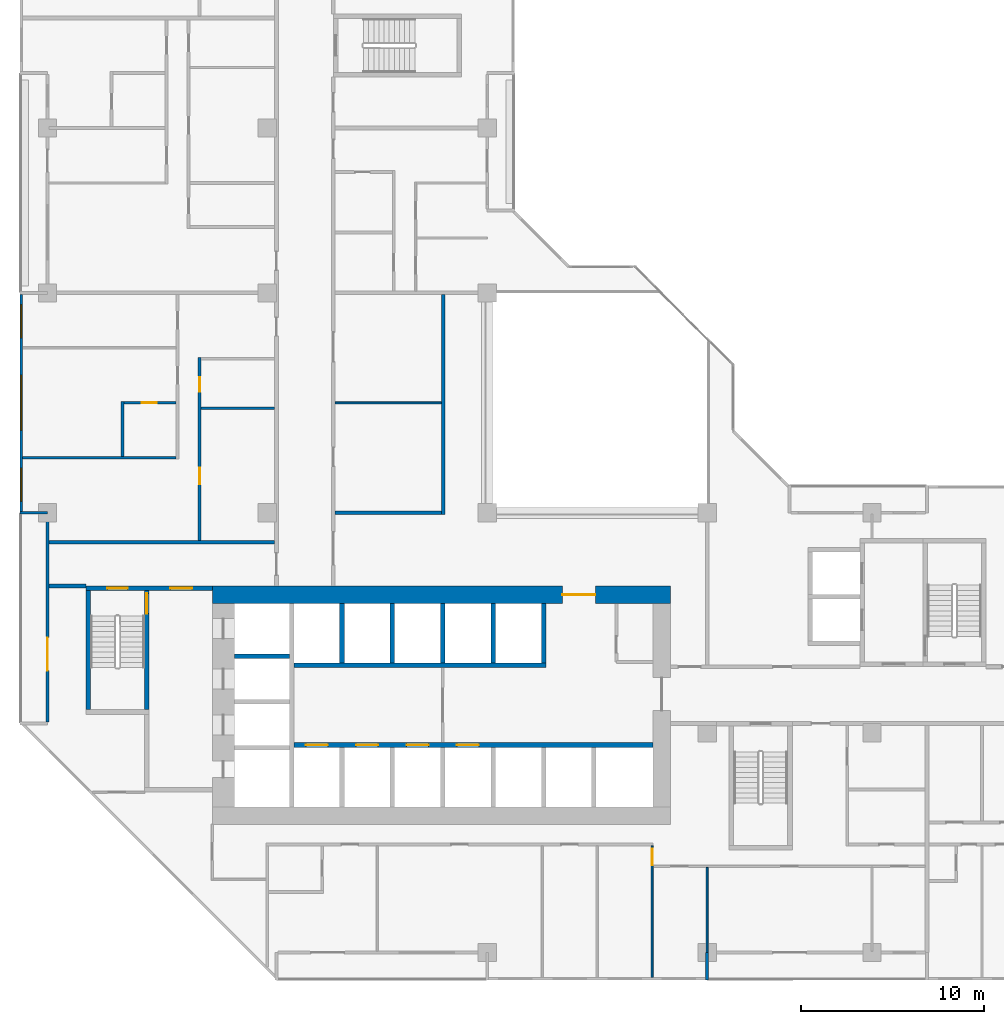
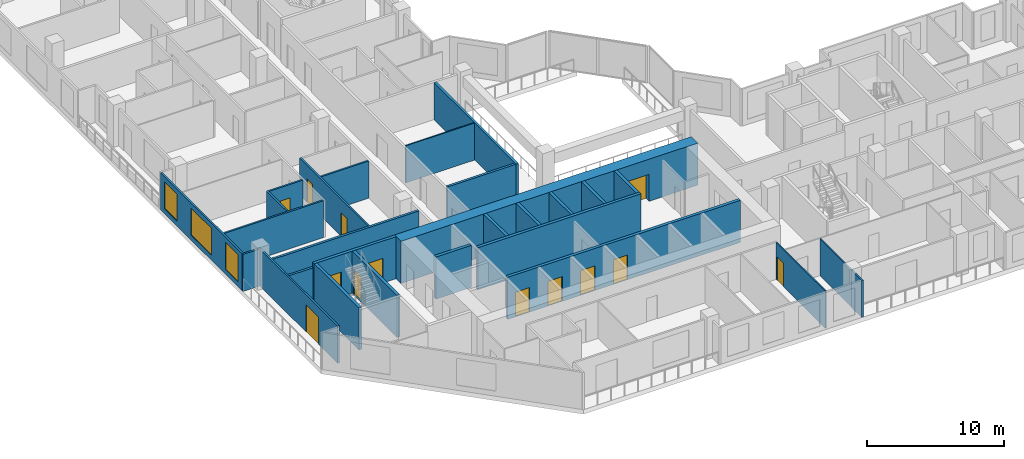
# One storey, part 5 of 15: 28 walls, 13 doors, 3 windows, 16 openings.
"""IFC4 building model written with IfcOpenShell, lengths in metres."""

from ifc_helpers import new_model, si_unit, direction, frame, frame_2d, origin, place, context, subcontext, project, spatial, rectangle, extrude, material, layer, layer_set, type_object, element, fill, save


model = new_model("IFC4")

# Units and contexts
model_context = context("Model", 3, precision=1e-05, world=origin(), true_north=direction((0.0, 1.0)))
body_context = subcontext(model_context, "Body", "Model", "MODEL_VIEW")
ifc_project = project(units=[si_unit("LENGTHUNIT", "METRE"), si_unit("AREAUNIT", "SQUARE_METRE"), si_unit("VOLUMEUNIT", "CUBIC_METRE"), si_unit("PLANEANGLEUNIT", "RADIAN"), si_unit("MASSUNIT", "GRAM", prefix="KILO")], contexts=[model_context])

# Site, building, storey
site_placement = place(None, origin())
site = spatial("IfcSite", under=ifc_project, at=site_placement, CompositionType="ELEMENT")
building_placement = place(site_placement, origin())
building = spatial("IfcBuilding", under=site, at=building_placement, Name="Chenar Terraces", CompositionType="ELEMENT")
storey_placement = place(building_placement, frame((0.0, 0.0, 136.89990234375)))
storey = spatial("IfcBuildingStorey", under=building, at=storey_placement, Name="L32", CompositionType="ELEMENT", Elevation=136.89990234375)

# Wall, openings, doors
ifc_material_1 = material(Name="Concrete C70/85", Category="concrete")
ifc_layer_1 = layer(ifc_material_1, 0.25)
ifc_layer_set_1 = layer_set([ifc_layer_1], Name="Concrete C70/85")
wall_type_1 = type_object("IfcWallType", Name="Core wall 250 Concrete C70/85", PredefinedType="SHEAR", material=ifc_layer_set_1)
wall_1_placement = place(storey_placement, frame((13.449951171875, 11.324951171875, 0.0), z_axis=(0.0, 0.0, 1.0), x_axis=(1.0, 0.0, 0.0)))
wall_1 = element("IfcWall", 1, at=wall_1_placement, inside=storey, type_object=wall_type_1, Name="Core wall SF L32", PredefinedType="SHEAR", context=body_context, shape_type="SweptSolid", body=[
    extrude(rectangle(XDim=19.60009765625, YDim=0.25, at=frame_2d((9.800048828125, 0.0))), origin(), (0.0, 0.0, 1.0), 3.75),
])
opening_1_placement = place(wall_1_placement, frame((0.64990234375, 0.0, 0.0)))
opening_1 = element("IfcOpeningElement", 2, at=opening_1_placement, cuts=wall_1, Name="Opening DL32-LD1", PredefinedType="OPENING", context=body_context, shape_type="SweptSolid", body=[
    extrude(rectangle(XDim=1.199951171875, YDim=2.199951171875, at=frame_2d((0.60009765625, 1.10009765625))), frame((0.0, 0.135009765625, 0.0), z_axis=(0.0, -1.0, 0.0), x_axis=(1.0, 0.0, 0.0)), (0.0, 0.0, 1.0), 0.27001953125),
])
opening_2_placement = place(wall_1_placement, frame((3.39990234375, 0.0, 0.0)))
opening_2 = element("IfcOpeningElement", 3, at=opening_2_placement, cuts=wall_1, Name="Opening DL32-LD2", PredefinedType="OPENING", context=body_context, shape_type="SweptSolid", body=[
    extrude(rectangle(XDim=1.199951171875, YDim=2.199951171875, at=frame_2d((0.60009765625, 1.10009765625))), frame((0.0, 0.135009765625, 0.0), z_axis=(0.0, -1.0, 0.0), x_axis=(1.0, 0.0, 0.0)), (0.0, 0.0, 1.0), 0.27001953125),
])
opening_3_placement = place(wall_1_placement, frame((6.14990234375, 0.0, 0.0)))
opening_3 = element("IfcOpeningElement", 4, at=opening_3_placement, cuts=wall_1, Name="Opening DL32-LD3", PredefinedType="OPENING", context=body_context, shape_type="SweptSolid", body=[
    extrude(rectangle(XDim=1.199951171875, YDim=2.199951171875, at=frame_2d((0.60009765625, 1.10009765625))), frame((0.0, 0.135009765625, 0.0), z_axis=(0.0, -1.0, 0.0), x_axis=(1.0, 0.0, 0.0)), (0.0, 0.0, 1.0), 0.27001953125),
])
opening_4_placement = place(wall_1_placement, frame((8.89990234375, 0.0, 0.0)))
opening_4 = element("IfcOpeningElement", 5, at=opening_4_placement, cuts=wall_1, Name="Opening DL32-LD4", PredefinedType="OPENING", context=body_context, shape_type="SweptSolid", body=[
    extrude(rectangle(XDim=1.199951171875, YDim=2.199951171875, at=frame_2d((0.60009765625, 1.10009765625))), frame((0.0, 0.135009765625, 0.0), z_axis=(0.0, -1.0, 0.0), x_axis=(1.0, 0.0, 0.0)), (0.0, 0.0, 1.0), 0.27001953125),
])
ifc_material_2 = material(Name="Stainless steel", Category="steel")
door_type_1 = type_object("IfcDoorType", Name="Lift landing door 1200 x 2200 sliding", OperationType="DOUBLE_DOOR_SLIDING", PredefinedType="DOOR", material=ifc_material_2)
door_1_placement = place(opening_1_placement, origin())
door_1 = element("IfcDoor", 6, at=door_1_placement, inside=storey, type_object=door_type_1, Name="Landing door L1", OperationType="DOUBLE_DOOR_SLIDING", OverallHeight=2.199951171875, OverallWidth=1.199951171875, PredefinedType="DOOR", context=body_context, shape_type="SweptSolid", body=[
    extrude(rectangle(XDim=1.199951171875, YDim=2.199951171875, at=frame_2d((0.60009765625, 1.10009765625))), frame((0.0, 0.02490234375, 0.0), z_axis=(0.0, -1.0, 0.0), x_axis=(1.0, 0.0, 0.0)), (0.0, 0.0, 1.0), 0.050048828125),
])
fill(opening_1, door_1)
door_2_placement = place(opening_2_placement, origin())
door_2 = element("IfcDoor", 7, at=door_2_placement, inside=storey, type_object=door_type_1, Name="Landing door L2", OperationType="DOUBLE_DOOR_SLIDING", OverallHeight=2.199951171875, OverallWidth=1.199951171875, PredefinedType="DOOR", context=body_context, shape_type="SweptSolid", body=[
    extrude(rectangle(XDim=1.199951171875, YDim=2.199951171875, at=frame_2d((0.60009765625, 1.10009765625))), frame((0.0, 0.02490234375, 0.0), z_axis=(0.0, -1.0, 0.0), x_axis=(1.0, 0.0, 0.0)), (0.0, 0.0, 1.0), 0.050048828125),
])
fill(opening_2, door_2)
door_3_placement = place(opening_3_placement, origin())
door_3 = element("IfcDoor", 8, at=door_3_placement, inside=storey, type_object=door_type_1, Name="Landing door L3", OperationType="DOUBLE_DOOR_SLIDING", OverallHeight=2.199951171875, OverallWidth=1.199951171875, PredefinedType="DOOR", context=body_context, shape_type="SweptSolid", body=[
    extrude(rectangle(XDim=1.199951171875, YDim=2.199951171875, at=frame_2d((0.60009765625, 1.10009765625))), frame((0.0, 0.02490234375, 0.0), z_axis=(0.0, -1.0, 0.0), x_axis=(1.0, 0.0, 0.0)), (0.0, 0.0, 1.0), 0.050048828125),
])
fill(opening_3, door_3)
door_4_placement = place(opening_4_placement, origin())
door_4 = element("IfcDoor", 9, at=door_4_placement, inside=storey, type_object=door_type_1, Name="Landing door L4", OperationType="DOUBLE_DOOR_SLIDING", OverallHeight=2.199951171875, OverallWidth=1.199951171875, PredefinedType="DOOR", context=body_context, shape_type="SweptSolid", body=[
    extrude(rectangle(XDim=1.199951171875, YDim=2.199951171875, at=frame_2d((0.60009765625, 1.10009765625))), frame((0.0, 0.02490234375, 0.0), z_axis=(0.0, -1.0, 0.0), x_axis=(1.0, 0.0, 0.0)), (0.0, 0.0, 1.0), 0.050048828125),
])
fill(opening_4, door_4)

# Walls
wall_2_placement = place(storey_placement, frame((13.449951171875, 15.675048828125, 0.0), z_axis=(0.0, 0.0, 1.0), x_axis=(1.0, 0.0, 0.0)))
element("IfcWall", 10, at=wall_2_placement, inside=storey, type_object=wall_type_1, Name="Core wall NF L32", PredefinedType="SHEAR", context=body_context, shape_type="SweptSolid", body=[
    extrude(rectangle(XDim=13.75, YDim=0.25, at=frame_2d((6.875, 0.0))), origin(), (0.0, 0.0, 1.0), 3.75),
])
wall_3_placement = place(storey_placement, frame((10.199951171875, 16.175048828125, 0.0), z_axis=(0.0, 0.0, 1.0), x_axis=(1.0, 0.0, 0.0)))
element("IfcWall", 11, at=wall_3_placement, inside=storey, type_object=wall_type_1, Name="Core wall HW2 L32", PredefinedType="SHEAR", context=body_context, shape_type="SweptSolid", body=[
    extrude(rectangle(XDim=3.0, YDim=0.25, at=frame_2d((1.5, 0.0))), origin(), (0.0, 0.0, 1.0), 3.75),
])
for number, where, z_axis, x_axis, name in (
    (12, (16.074951171875, 15.800048828125, 0.0), (0.0, 0.0, 1.0), (0.0, 1.0, 0.0), "Core wall NS0 L32"),
    (13, (18.824951171875, 15.800048828125, 0.0), (0.0, 0.0, 1.0), (0.0, 1.0, 0.0), "Core wall NS1 L32"),
    (14, (21.574951171875, 15.800048828125, 0.0), (0.0, 0.0, 1.0), (0.0, 1.0, 0.0), "Core wall NS2 L32"),
    (15, (24.324951171875, 15.800048828125, 0.0), (0.0, 0.0, 1.0), (0.0, 1.0, 0.0), "Core wall NS3 L32"),
    (16, (27.074951171875, 15.800048828125, 0.0), (0.0, 0.0, 1.0), (0.0, 1.0, 0.0), "Core wall NE L32"),
):
    element("IfcWall", number, at=place(storey_placement, frame(where, z_axis=z_axis, x_axis=x_axis)), inside=storey, type_object=wall_type_1, Name=name, PredefinedType="SHEAR", context=body_context, shape_type="SweptSolid", body=[
        extrude(rectangle(XDim=3.25, YDim=0.25, at=frame_2d((1.625, 0.0))), origin(), (0.0, 0.0, 1.0), 3.75),
    ])

# Wall, openings, doors
wall_4_placement = place(storey_placement, frame((2.10009765625, 19.875, 0.0), z_axis=(0.0, 0.0, 1.0), x_axis=(1.0, 0.0, 0.0)))
wall_4 = element("IfcWall", 17, at=wall_4_placement, inside=storey, type_object=wall_type_1, Name="Core wall A_N L32", PredefinedType="SHEAR", context=body_context, shape_type="SweptSolid", body=[
    extrude(rectangle(XDim=6.89990234375, YDim=0.25, at=frame_2d((3.449951171875, 0.0))), origin(), (0.0, 0.0, 1.0), 3.75),
])
opening_5_placement = place(wall_4_placement, frame((1.175048828125, 0.0, 0.0)))
opening_5 = element("IfcOpeningElement", 18, at=opening_5_placement, cuts=wall_4, Name="Opening DL32-C5", PredefinedType="OPENING", context=body_context, shape_type="SweptSolid", body=[
    extrude(rectangle(XDim=1.10009765625, YDim=2.199951171875, at=frame_2d((0.550048828125, 1.10009765625))), frame((0.0, 0.135009765625, 0.0), z_axis=(0.0, -1.0, 0.0), x_axis=(1.0, 0.0, 0.0)), (0.0, 0.0, 1.0), 0.27001953125),
])
opening_6_placement = place(wall_4_placement, frame((4.60009765625, 0.0, 0.0)))
opening_6 = element("IfcOpeningElement", 19, at=opening_6_placement, cuts=wall_4, Name="Opening DL32-C6", PredefinedType="OPENING", context=body_context, shape_type="SweptSolid", body=[
    extrude(rectangle(XDim=1.199951171875, YDim=2.199951171875, at=frame_2d((0.60009765625, 1.10009765625))), frame((0.0, 0.135009765625, 0.0), z_axis=(0.0, -1.0, 0.0), x_axis=(1.0, 0.0, 0.0)), (0.0, 0.0, 1.0), 0.27001953125),
])
ifc_material_3 = material(Name="Steel-framed fire-resisting door leaf", Category="steel")
door_type_2 = type_object("IfcDoorType", Name="Lobby fire door FD60 1200 x 2200", OperationType="SINGLE_SWING_LEFT", PredefinedType="DOOR", material=ifc_material_3)
door_5_placement = place(opening_6_placement, frame((1.199951171875, 0.0, 0.0), z_axis=(0.0, 0.0, 1.0), x_axis=(-1.0, 0.0, 0.0)))
door_5 = element("IfcDoor", 20, at=door_5_placement, inside=storey, type_object=door_type_2, Name="Core door DL32-C6", OperationType="SINGLE_SWING_LEFT", OverallHeight=2.199951171875, OverallWidth=1.199951171875, PredefinedType="DOOR", context=body_context, shape_type="SweptSolid", body=[
    extrude(rectangle(XDim=1.199951171875, YDim=2.199951171875, at=frame_2d((0.60009765625, 1.10009765625))), frame((0.0, 0.02490234375, 0.0), z_axis=(0.0, -1.0, 0.0), x_axis=(1.0, 0.0, 0.0)), (0.0, 0.0, 1.0), 0.050048828125),
])
fill(opening_6, door_5)
ifc_material_4 = material(Name="Steel-framed fire-resisting door leaf", Category="steel")
door_type_3 = type_object("IfcDoorType", Name="Stair fire door FD60 1100 x 2200", OperationType="SINGLE_SWING_LEFT", PredefinedType="DOOR", material=ifc_material_4)
door_6_placement = place(opening_5_placement, origin())
door_6 = element("IfcDoor", 21, at=door_6_placement, inside=storey, type_object=door_type_3, Name="Stair door DL32-C5", OperationType="SINGLE_SWING_LEFT", OverallHeight=2.199951171875, OverallWidth=1.10009765625, PredefinedType="DOOR", context=body_context, shape_type="SweptSolid", body=[
    extrude(rectangle(XDim=1.10009765625, YDim=2.199951171875, at=frame_2d((0.550048828125, 1.10009765625))), frame((0.0, 0.02490234375, 0.0), z_axis=(0.0, -1.0, 0.0), x_axis=(1.0, 0.0, 0.0)), (0.0, 0.0, 1.0), 0.050048828125),
])
fill(opening_5, door_6)

# Wall
wall_5_placement = place(storey_placement, frame((2.22509765625, 13.25, 0.0), z_axis=(0.0, 0.0, 1.0), x_axis=(0.0, 1.0, 0.0)))
element("IfcWall", 22, at=wall_5_placement, inside=storey, type_object=wall_type_1, Name="Core wall ST1_W L32", PredefinedType="SHEAR", context=body_context, shape_type="SweptSolid", body=[
    extrude(rectangle(XDim=6.5, YDim=0.25, at=frame_2d((3.25, 0.0))), origin(), (0.0, 0.0, 1.0), 3.75),
])

# Wall, opening, door
wall_6_placement = place(storey_placement, frame((5.425048828125, 13.25, 0.0), z_axis=(0.0, 0.0, 1.0), x_axis=(0.0, 1.0, 0.0)))
wall_6 = element("IfcWall", 23, at=wall_6_placement, inside=storey, type_object=wall_type_1, Name="Core wall ST1_E L32", PredefinedType="SHEAR", context=body_context, shape_type="SweptSolid", body=[
    extrude(rectangle(XDim=6.5, YDim=0.25, at=frame_2d((3.25, 0.0))), origin(), (0.0, 0.0, 1.0), 3.75),
])
opening_7_placement = place(wall_6_placement, frame((5.25, 0.0, 0.0)))
opening_7 = element("IfcOpeningElement", 24, at=opening_7_placement, cuts=wall_6, Name="Opening DL32-C3", PredefinedType="OPENING", context=body_context, shape_type="SweptSolid", body=[
    extrude(rectangle(XDim=1.10009765625, YDim=2.199951171875, at=frame_2d((0.550048828125, 1.10009765625))), frame((0.0, 0.135009765625, 0.0), z_axis=(0.0, -1.0, 0.0), x_axis=(1.0, 0.0, 0.0)), (0.0, 0.0, 1.0), 0.27001953125),
])
door_7_placement = place(opening_7_placement, origin())
door_7 = element("IfcDoor", 25, at=door_7_placement, inside=storey, type_object=door_type_3, Name="Stair door DL32-C3", OperationType="SINGLE_SWING_RIGHT", OverallHeight=2.199951171875, OverallWidth=1.10009765625, PredefinedType="DOOR", context=body_context, shape_type="SweptSolid", body=[
    extrude(rectangle(XDim=1.10009765625, YDim=2.199951171875, at=frame_2d((0.550048828125, 1.10009765625))), frame((0.0, 0.02490234375, 0.0), z_axis=(0.0, -1.0, 0.0), x_axis=(1.0, 0.0, 0.0)), (0.0, 0.0, 1.0), 0.050048828125),
])
fill(opening_7, door_7)

ifc_material_5 = material(Name="Concrete C70/85", Category="concrete")
ifc_layer_2 = layer(ifc_material_5, 0.949951171875)
ifc_layer_set_2 = layer_set([ifc_layer_2], Name="Concrete C70/85")
wall_type_2 = type_object("IfcWallType", Name="Core wall 950 Concrete C70/85", PredefinedType="SHEAR", material=ifc_layer_set_2)
wall_7_placement = place(storey_placement, frame((9.0, 19.52490234375, 0.0), z_axis=(0.0, 0.0, 1.0), x_axis=(1.0, 0.0, 0.0)))
wall_7 = element("IfcWall", 26, at=wall_7_placement, inside=storey, type_object=wall_type_2, Name="Core wall N L32", PredefinedType="SHEAR", context=body_context, shape_type="SweptSolid", body=[
    extrude(rectangle(XDim=25.0, YDim=0.949951171875, at=frame_2d((12.5, 0.0))), origin(), (0.0, 0.0, 1.0), 3.75),
])
opening_8_placement = place(wall_7_placement, frame((19.10009765625, 0.0, 0.0)))
opening_8 = element("IfcOpeningElement", 27, at=opening_8_placement, cuts=wall_7, Name="Opening DL32-C2", PredefinedType="OPENING", context=body_context, shape_type="SweptSolid", body=[
    extrude(rectangle(XDim=1.800048828125, YDim=2.39990234375, at=frame_2d((0.89990234375, 1.199951171875))), frame((0.0, 0.48486328125, 0.0), z_axis=(0.0, -1.0, 0.0), x_axis=(1.0, 0.0, 0.0)), (0.0, 0.0, 1.0), 0.969970703125),
])
ifc_material_6 = material(Name="Steel-framed fire-resisting door leaf", Category="steel")
door_type_4 = type_object("IfcDoorType", Name="Core entrance double fire door FD60 1800 x 2400", OperationType="DOUBLE_DOOR_SINGLE_SWING", PredefinedType="DOOR", material=ifc_material_6)
door_8_placement = place(opening_8_placement, frame((1.800048828125, 0.0, 0.0), z_axis=(0.0, 0.0, 1.0), x_axis=(-1.0, 0.0, 0.0)))
door_8 = element("IfcDoor", 28, at=door_8_placement, inside=storey, type_object=door_type_4, Name="Core door DL32-C2", OperationType="DOUBLE_DOOR_SINGLE_SWING", OverallHeight=2.39990234375, OverallWidth=1.800048828125, PredefinedType="DOOR", context=body_context, shape_type="SweptSolid", body=[
    extrude(rectangle(XDim=1.800048828125, YDim=2.39990234375, at=frame_2d((0.89990234375, 1.199951171875))), frame((0.0, 0.02490234375, 0.0), z_axis=(0.0, -1.0, 0.0), x_axis=(1.0, 0.0, 0.0)), (0.0, 0.0, 1.0), 0.050048828125),
])
fill(opening_8, door_8)

# Walls
ifc_material_7 = material(Name="Gypsum board on steel studs with fire boards", Category="steel")
ifc_layer_3 = layer(ifc_material_7, 0.199951171875)
ifc_layer_set_3 = layer_set([ifc_layer_3], Name="Gypsum board on steel studs with fire boards")
wall_type_3 = type_object("IfcWallType", Name="Corridor wall 200", PredefinedType="PARTITIONING", material=ifc_layer_set_3)
wall_8_placement = place(storey_placement, frame((0.073974609375, 20.0, 0.0), z_axis=(0.0, 0.0, 1.0), x_axis=(1.0, 0.0, 0.0)))
element("IfcWall", 29, at=wall_8_placement, inside=storey, type_object=wall_type_3, Name="Partition L32-006", PredefinedType="PARTITIONING", context=body_context, shape_type="SweptSolid", body=[
    extrude(rectangle(XDim=2.026123046875, YDim=0.199951171875, at=frame_2d((1.01318359375, 0.0))), origin(), (0.0, 0.0, 1.0), 3.300048828125),
])
wall_9_placement = place(storey_placement, frame((0.073974609375, 22.39990234375, 0.0), z_axis=(0.0, 0.0, 1.0), x_axis=(1.0, 0.0, 0.0)))
element("IfcWall", 30, at=wall_9_placement, inside=storey, type_object=wall_type_3, Name="Partition L32-007", PredefinedType="PARTITIONING", context=body_context, shape_type="SweptSolid", body=[
    extrude(rectangle(XDim=12.325927734375, YDim=0.199951171875, at=frame_2d((6.1630859375, 0.0))), origin(), (0.0, 0.0, 1.0), 3.300048828125),
])
wall_10_placement = place(storey_placement, frame((15.699951171875, 24.0, 0.0), z_axis=(0.0, 0.0, 1.0), x_axis=(1.0, 0.0, 0.0)))
element("IfcWall", 31, at=wall_10_placement, inside=storey, type_object=wall_type_3, Name="Partition L32-039", PredefinedType="PARTITIONING", context=body_context, shape_type="SweptSolid", body=[
    extrude(rectangle(XDim=5.800048828125, YDim=0.199951171875, at=frame_2d((2.89990234375, 0.0))), origin(), (0.0, 0.0, 1.0), 3.300048828125),
])
wall_11_placement = place(storey_placement, frame((21.60009765625, 23.89990234375, 0.0), z_axis=(0.0, 0.0, 1.0), x_axis=(0.0, 1.0, 0.0)))
element("IfcWall", 32, at=wall_11_placement, inside=storey, type_object=wall_type_3, Name="Partition L32-057", PredefinedType="PARTITIONING", context=body_context, shape_type="SweptSolid", body=[
    extrude(rectangle(XDim=12.0, YDim=0.199951171875, at=frame_2d((6.0, 0.0))), origin(), (0.0, 0.0, 1.0), 3.300048828125),
])

# Wall, openings, windows
ifc_material_8 = material(Name="Aluminium framed glazing", Category="aluminium")
ifc_layer_4 = layer(ifc_material_8, 0.14990234375)
ifc_layer_set_4 = layer_set([ifc_layer_4], Name="Aluminium framed glazing")
wall_type_4 = type_object("IfcWallType", Name="Glazed flush facade wall 150", PredefinedType="SOLIDWALL", material=ifc_layer_set_4)
wall_12_placement = place(storey_placement, frame((-1.425048828125, 35.925048828125, 0.0), z_axis=(0.0, 0.0, 1.0), x_axis=(0.0, -1.0, 0.0)))
wall_12 = element("IfcWall", 33, at=wall_12_placement, inside=storey, type_object=wall_type_4, Name="Glazed flush facade wall", PredefinedType="SOLIDWALL", context=body_context, shape_type="SweptSolid", body=[
    extrude(rectangle(XDim=11.85009765625, YDim=0.14990234375, at=frame_2d((5.925048828125, 0.0))), origin(), (0.0, 0.0, 1.0), 3.300048828125),
])
opening_9_placement = place(wall_12_placement, frame((0.5625, 0.0, 0.449951171875)))
opening_9 = element("IfcOpeningElement", 34, at=opening_9_placement, cuts=wall_12, Name="Opening W180x240", PredefinedType="OPENING", context=body_context, shape_type="SweptSolid", body=[
    extrude(rectangle(XDim=1.800048828125, YDim=2.39990234375, at=frame_2d((0.89990234375, 1.199951171875))), frame((0.0, 0.0849609375, 0.0), z_axis=(0.0, -1.0, 0.0), x_axis=(1.0, 0.0, 0.0)), (0.0, 0.0, 1.0), 0.169921875),
])
opening_10_placement = place(wall_12_placement, frame((4.425048828125, 0.0, 0.449951171875)))
opening_10 = element("IfcOpeningElement", 35, at=opening_10_placement, cuts=wall_12, Name="Opening W300x240", PredefinedType="OPENING", context=body_context, shape_type="SweptSolid", body=[
    extrude(rectangle(XDim=3.0, YDim=2.39990234375, at=frame_2d((1.5, 1.199951171875))), frame((0.0, 0.0849609375, 0.0), z_axis=(0.0, -1.0, 0.0), x_axis=(1.0, 0.0, 0.0)), (0.0, 0.0, 1.0), 0.169921875),
])
opening_11_placement = place(wall_12_placement, frame((9.487548828125, 0.0, 0.449951171875)))
opening_11 = element("IfcOpeningElement", 36, at=opening_11_placement, cuts=wall_12, Name="Opening W180x240", PredefinedType="OPENING", context=body_context, shape_type="SweptSolid", body=[
    extrude(rectangle(XDim=1.800048828125, YDim=2.39990234375, at=frame_2d((0.89990234375, 1.199951171875))), frame((0.0, 0.0849609375, 0.0), z_axis=(0.0, -1.0, 0.0), x_axis=(1.0, 0.0, 0.0)), (0.0, 0.0, 1.0), 0.169921875),
])
ifc_material_9 = material(Name="Low emissivity double glazing, aluminium frame", Category="aluminium")
window_type_1 = type_object("IfcWindowType", Name="Fixed light 1800 x 2400", PartitioningType="SINGLE_PANEL", PredefinedType="WINDOW", material=ifc_material_9)
window_1_placement = place(opening_9_placement, origin())
window_1 = element("IfcWindow", 37, at=window_1_placement, inside=storey, type_object=window_type_1, Name="Window", OverallHeight=2.39990234375, OverallWidth=1.800048828125, PartitioningType="SINGLE_PANEL", PredefinedType="WINDOW", context=body_context, shape_type="SweptSolid", body=[
    extrude(rectangle(XDim=1.800048828125, YDim=2.39990234375, at=frame_2d((0.89990234375, 1.199951171875))), frame((0.0, 0.030029296875, 0.0), z_axis=(0.0, -1.0, 0.0), x_axis=(1.0, 0.0, 0.0)), (0.0, 0.0, 1.0), 0.06005859375),
])
fill(opening_9, window_1)
window_2_placement = place(opening_11_placement, origin())
window_2 = element("IfcWindow", 38, at=window_2_placement, inside=storey, type_object=window_type_1, Name="Window", OverallHeight=2.39990234375, OverallWidth=1.800048828125, PartitioningType="SINGLE_PANEL", PredefinedType="WINDOW", context=body_context, shape_type="SweptSolid", body=[
    extrude(rectangle(XDim=1.800048828125, YDim=2.39990234375, at=frame_2d((0.89990234375, 1.199951171875))), frame((0.0, 0.030029296875, 0.0), z_axis=(0.0, -1.0, 0.0), x_axis=(1.0, 0.0, 0.0)), (0.0, 0.0, 1.0), 0.06005859375),
])
fill(opening_11, window_2)
ifc_material_10 = material(Name="Low emissivity double glazing, aluminium frame", Category="aluminium")
window_type_2 = type_object("IfcWindowType", Name="Fixed light 3000 x 2400", PartitioningType="SINGLE_PANEL", PredefinedType="WINDOW", material=ifc_material_10)
window_3_placement = place(opening_10_placement, origin())
window_3 = element("IfcWindow", 39, at=window_3_placement, inside=storey, type_object=window_type_2, Name="Window", OverallHeight=2.39990234375, OverallWidth=3.0, PartitioningType="SINGLE_PANEL", PredefinedType="WINDOW", context=body_context, shape_type="SweptSolid", body=[
    extrude(rectangle(XDim=3.0, YDim=2.39990234375, at=frame_2d((1.5, 1.199951171875))), frame((0.0, 0.030029296875, 0.0), z_axis=(0.0, -1.0, 0.0), x_axis=(1.0, 0.0, 0.0)), (0.0, 0.0, 1.0), 0.06005859375),
])
fill(opening_10, window_3)

# Wall, opening, door
ifc_material_11 = material(Name="Aluminium framed glazing", Category="aluminium")
ifc_layer_5 = layer(ifc_material_11, 0.14990234375)
ifc_layer_set_5 = layer_set([ifc_layer_5], Name="Aluminium framed glazing")
wall_type_5 = type_object("IfcWallType", Name="Glazed loggia back wall 150", PredefinedType="SOLIDWALL", material=ifc_layer_set_5)
wall_13_placement = place(storey_placement, frame((0.0, 23.925048828125, 0.0), z_axis=(0.0, 0.0, 1.0), x_axis=(0.0, -1.0, 0.0)))
wall_13 = element("IfcWall", 40, at=wall_13_placement, inside=storey, type_object=wall_type_5, Name="Glazed loggia back wall", PredefinedType="SOLIDWALL", context=body_context, shape_type="SweptSolid", body=[
    extrude(rectangle(XDim=11.35009765625, YDim=0.14990234375, at=frame_2d((5.675048828125, 0.0))), origin(), (0.0, 0.0, 1.0), 3.300048828125),
])
opening_12_placement = place(wall_13_placement, frame((6.737548828125, 0.0, 0.0)))
opening_12 = element("IfcOpeningElement", 41, at=opening_12_placement, cuts=wall_13, Name="Opening DL32-G4", PredefinedType="OPENING", context=body_context, shape_type="SweptSolid", body=[
    extrude(rectangle(XDim=1.800048828125, YDim=2.39990234375, at=frame_2d((0.89990234375, 1.199951171875))), frame((0.0, 0.0849609375, 0.0), z_axis=(0.0, -1.0, 0.0), x_axis=(1.0, 0.0, 0.0)), (0.0, 0.0, 1.0), 0.169921875),
])
ifc_material_12 = material(Name="Low emissivity double glazing, aluminium frame", Category="aluminium")
door_type_5 = type_object("IfcDoorType", Name="Loggia glazed double door 1800 x 2400", OperationType="DOUBLE_DOOR_SINGLE_SWING", PredefinedType="DOOR", material=ifc_material_12)
door_9_placement = place(opening_12_placement, frame((1.800048828125, 0.0, 0.0), z_axis=(0.0, 0.0, 1.0), x_axis=(-1.0, 0.0, 0.0)))
door_9 = element("IfcDoor", 42, at=door_9_placement, inside=storey, type_object=door_type_5, Name="Loggia glazed door", OperationType="DOUBLE_DOOR_SINGLE_SWING", OverallHeight=2.39990234375, OverallWidth=1.800048828125, PredefinedType="DOOR", context=body_context, shape_type="SweptSolid", body=[
    extrude(rectangle(XDim=1.800048828125, YDim=2.39990234375, at=frame_2d((0.89990234375, 1.199951171875))), frame((0.0, 0.02490234375, 0.0), z_axis=(0.0, -1.0, 0.0), x_axis=(1.0, 0.0, 0.0)), (0.0, 0.0, 1.0), 0.050048828125),
])
fill(opening_12, door_9)

# Wall
ifc_material_13 = material(Name="Gypsum board on steel studs", Category="steel")
ifc_layer_6 = layer(ifc_material_13, 0.10009765625)
ifc_layer_set_6 = layer_set([ifc_layer_6], Name="Gypsum board on steel studs")
wall_type_6 = type_object("IfcWallType", Name="Gypsum partition 100", PredefinedType="PARTITIONING", material=ifc_layer_set_6)
wall_14_placement = place(storey_placement, frame((15.699951171875, 30.0, 0.0), z_axis=(0.0, 0.0, 1.0), x_axis=(1.0, 0.0, 0.0)))
element("IfcWall", 43, at=wall_14_placement, inside=storey, type_object=wall_type_6, Name="Partition L32-040", PredefinedType="PARTITIONING", context=body_context, shape_type="SweptSolid", body=[
    extrude(rectangle(XDim=5.800048828125, YDim=0.10009765625, at=frame_2d((2.89990234375, 0.0))), origin(), (0.0, 0.0, 1.0), 3.300048828125),
])

# Wall, opening, door
wall_15_placement = place(storey_placement, frame((33.0, -1.35107421875, 0.0), z_axis=(0.0, 0.0, 1.0), x_axis=(0.0, 1.0, 0.0)))
wall_15 = element("IfcWall", 44, at=wall_15_placement, inside=storey, type_object=wall_type_6, Name="Partition L32-060", PredefinedType="PARTITIONING", context=body_context, shape_type="SweptSolid", body=[
    extrude(rectangle(XDim=7.176025390625, YDim=0.10009765625, at=frame_2d((3.587890625, 0.0))), origin(), (0.0, 0.0, 1.0), 3.300048828125),
])
opening_13_placement = place(wall_15_placement, frame((6.1259765625, 0.0, 0.0)))
opening_13 = element("IfcOpeningElement", 45, at=opening_13_placement, cuts=wall_15, Name="Opening DL32-57", PredefinedType="OPENING", context=body_context, shape_type="SweptSolid", body=[
    extrude(rectangle(XDim=0.89990234375, YDim=2.10009765625, at=frame_2d((0.449951171875, 1.050048828125))), frame((0.0, 0.06005859375, 0.0), z_axis=(0.0, -1.0, 0.0), x_axis=(1.0, 0.0, 0.0)), (0.0, 0.0, 1.0), 0.1201171875),
])
ifc_material_14 = material(Name="Veneered timber door leaf", Category="wood")
door_type_6 = type_object("IfcDoorType", Name="Door 900 x 2100", OperationType="SINGLE_SWING_LEFT", PredefinedType="DOOR", material=ifc_material_14)
door_10_placement = place(opening_13_placement, origin())
door_10 = element("IfcDoor", 46, at=door_10_placement, inside=storey, type_object=door_type_6, Name="Door DL32-57", OperationType="SINGLE_SWING_RIGHT", OverallHeight=2.10009765625, OverallWidth=0.89990234375, PredefinedType="DOOR", context=body_context, shape_type="SweptSolid", body=[
    extrude(rectangle(XDim=0.89990234375, YDim=2.10009765625, at=frame_2d((0.449951171875, 1.050048828125))), frame((0.0, 0.02490234375, 0.0), z_axis=(0.0, -1.0, 0.0), x_axis=(1.0, 0.0, 0.0)), (0.0, 0.0, 1.0), 0.050048828125),
])
fill(opening_13, door_10)

# Walls
wall_16_placement = place(storey_placement, frame((36.0, 0.0, 0.0), z_axis=(0.0, 0.0, 1.0), x_axis=(0.0, 1.0, 0.0)))
element("IfcWall", 47, at=wall_16_placement, inside=storey, type_object=wall_type_6, Name="Partition L32-064", PredefinedType="PARTITIONING", context=body_context, shape_type="SweptSolid", body=[
    extrude(rectangle(XDim=4.64990234375, YDim=0.10009765625, at=frame_2d((2.324951171875, 0.0))), origin(), (0.0, 0.0, 1.0), 3.300048828125),
])
ifc_material_15 = material(Name="Terracotta cladding on insulated backing", Category="masonry")
ifc_layer_7 = layer(ifc_material_15, 0.14990234375)
ifc_layer_set_7 = layer_set([ifc_layer_7], Name="Terracotta cladding on insulated backing")
wall_type_7 = type_object("IfcWallType", Name="Loggia return wall 150", PredefinedType="SOLIDWALL", material=ifc_layer_set_7)
for number, where, z_axis, x_axis, name in (
    (48, (-1.5, 24.0, 0.0), (0.0, 0.0, 1.0), (1.0, 0.0, 0.0), "Loggia return wall"),
    (49, (36.0, -1.5, 0.0), (0.0, 0.0, 1.0), (0.0, 1.0, 0.0), "Loggia return wall"),
):
    element("IfcWall", number, at=place(storey_placement, frame(where, z_axis=z_axis, x_axis=x_axis)), inside=storey, type_object=wall_type_7, Name=name, PredefinedType="SOLIDWALL", context=body_context, shape_type="SweptSolid", body=[
        extrude(rectangle(XDim=1.5, YDim=0.14990234375, at=frame_2d((0.75, 0.0))), origin(), (0.0, 0.0, 1.0), 3.300048828125),
    ])
ifc_material_16 = material(Name="Moisture-resistant gypsum board on steel studs", Category="steel")
ifc_layer_8 = layer(ifc_material_16, 0.14990234375)
ifc_layer_set_8 = layer_set([ifc_layer_8], Name="Moisture-resistant gypsum board on steel studs")
wall_type_8 = type_object("IfcWallType", Name="Wet-room partition 150", PredefinedType="PARTITIONING", material=ifc_layer_set_8)
wall_17_placement = place(storey_placement, frame((-1.35009765625, 27.0, 0.0), z_axis=(0.0, 0.0, 1.0), x_axis=(1.0, 0.0, 0.0)))
element("IfcWall", 50, at=wall_17_placement, inside=storey, type_object=wall_type_8, Name="Partition L32-002", PredefinedType="PARTITIONING", context=body_context, shape_type="SweptSolid", body=[
    extrude(rectangle(XDim=8.375, YDim=0.14990234375, at=frame_2d((4.1875, 0.0))), origin(), (0.0, 0.0, 1.0), 3.300048828125),
])
wall_18_placement = place(storey_placement, frame((4.10009765625, 27.074951171875, 0.0), z_axis=(0.0, 0.0, 1.0), x_axis=(0.0, 1.0, 0.0)))
element("IfcWall", 51, at=wall_18_placement, inside=storey, type_object=wall_type_8, Name="Partition L32-013", PredefinedType="PARTITIONING", context=body_context, shape_type="SweptSolid", body=[
    extrude(rectangle(XDim=3.0, YDim=0.14990234375, at=frame_2d((1.5, 0.0))), origin(), (0.0, 0.0, 1.0), 3.300048828125),
])

# Wall, opening, door
wall_19_placement = place(storey_placement, frame((4.175048828125, 30.0, 0.0), z_axis=(0.0, 0.0, 1.0), x_axis=(1.0, 0.0, 0.0)))
wall_19 = element("IfcWall", 52, at=wall_19_placement, inside=storey, type_object=wall_type_8, Name="Partition L32-015", PredefinedType="PARTITIONING", context=body_context, shape_type="SweptSolid", body=[
    extrude(rectangle(XDim=2.849853515625, YDim=0.14990234375, at=frame_2d((1.4248046875, 0.0))), origin(), (0.0, 0.0, 1.0), 3.300048828125),
])
opening_14_placement = place(wall_19_placement, frame((0.97509765625, 0.0, 0.0)))
opening_14 = element("IfcOpeningElement", 53, at=opening_14_placement, cuts=wall_19, Name="Opening DL32-71", PredefinedType="OPENING", context=body_context, shape_type="SweptSolid", body=[
    extrude(rectangle(XDim=0.800048828125, YDim=2.10009765625, at=frame_2d((0.39990234375, 1.050048828125))), frame((0.0, 0.0849609375, 0.0), z_axis=(0.0, -1.0, 0.0), x_axis=(1.0, 0.0, 0.0)), (0.0, 0.0, 1.0), 0.169921875),
])
ifc_material_17 = material(Name="Veneered timber door leaf", Category="wood")
door_type_7 = type_object("IfcDoorType", Name="Door 800 x 2100", OperationType="SINGLE_SWING_LEFT", PredefinedType="DOOR", material=ifc_material_17)
door_11_placement = place(opening_14_placement, frame((0.800048828125, 0.0, 0.0), z_axis=(0.0, 0.0, 1.0), x_axis=(-1.0, 0.0, 0.0)))
door_11 = element("IfcDoor", 54, at=door_11_placement, inside=storey, type_object=door_type_7, Name="Door DL32-71", OperationType="SINGLE_SWING_RIGHT", OverallHeight=2.10009765625, OverallWidth=0.800048828125, PredefinedType="DOOR", context=body_context, shape_type="SweptSolid", body=[
    extrude(rectangle(XDim=0.800048828125, YDim=2.10009765625, at=frame_2d((0.39990234375, 1.050048828125))), frame((0.0, 0.02490234375, 0.0), z_axis=(0.0, -1.0, 0.0), x_axis=(1.0, 0.0, 0.0)), (0.0, 0.0, 1.0), 0.050048828125),
])
fill(opening_14, door_11)

# Wall, openings, doors
wall_20_placement = place(storey_placement, frame((8.300048828125, 22.5, 0.0), z_axis=(0.0, 0.0, 1.0), x_axis=(0.0, 1.0, 0.0)))
wall_20 = element("IfcWall", 55, at=wall_20_placement, inside=storey, type_object=wall_type_8, Name="Partition L32-024", PredefinedType="PARTITIONING", context=body_context, shape_type="SweptSolid", body=[
    extrude(rectangle(XDim=9.97509765625, YDim=0.14990234375, at=frame_2d((4.987548828125, 0.0))), origin(), (0.0, 0.0, 1.0), 3.300048828125),
])
opening_15_placement = place(wall_20_placement, frame((8.10009765625, 0.0, 0.0)))
opening_15 = element("IfcOpeningElement", 56, at=opening_15_placement, cuts=wall_20, Name="Opening DL32-68", PredefinedType="OPENING", context=body_context, shape_type="SweptSolid", body=[
    extrude(rectangle(XDim=0.800048828125, YDim=2.10009765625, at=frame_2d((0.39990234375, 1.050048828125))), frame((0.0, 0.0849609375, 0.0), z_axis=(0.0, -1.0, 0.0), x_axis=(1.0, 0.0, 0.0)), (0.0, 0.0, 1.0), 0.169921875),
])
opening_16_placement = place(wall_20_placement, frame((3.050048828125, 0.0, 0.0)))
opening_16 = element("IfcOpeningElement", 57, at=opening_16_placement, cuts=wall_20, Name="Opening DL32-72", PredefinedType="OPENING", context=body_context, shape_type="SweptSolid", body=[
    extrude(rectangle(XDim=0.89990234375, YDim=2.10009765625, at=frame_2d((0.449951171875, 1.050048828125))), frame((0.0, 0.0849609375, 0.0), z_axis=(0.0, -1.0, 0.0), x_axis=(1.0, 0.0, 0.0)), (0.0, 0.0, 1.0), 0.169921875),
])
door_12_placement = place(opening_15_placement, frame((0.800048828125, 0.0, 0.0), z_axis=(0.0, 0.0, 1.0), x_axis=(-1.0, 0.0, 0.0)))
door_12 = element("IfcDoor", 58, at=door_12_placement, inside=storey, type_object=door_type_7, Name="Door DL32-68", OperationType="SINGLE_SWING_RIGHT", OverallHeight=2.10009765625, OverallWidth=0.800048828125, PredefinedType="DOOR", context=body_context, shape_type="SweptSolid", body=[
    extrude(rectangle(XDim=0.800048828125, YDim=2.10009765625, at=frame_2d((0.39990234375, 1.050048828125))), frame((0.0, 0.02490234375, 0.0), z_axis=(0.0, -1.0, 0.0), x_axis=(1.0, 0.0, 0.0)), (0.0, 0.0, 1.0), 0.050048828125),
])
fill(opening_15, door_12)
door_13_placement = place(opening_16_placement, frame((0.89990234375, 0.0, 0.0), z_axis=(0.0, 0.0, 1.0), x_axis=(-1.0, 0.0, 0.0)))
door_13 = element("IfcDoor", 59, at=door_13_placement, inside=storey, type_object=door_type_6, Name="Door DL32-72", OperationType="SINGLE_SWING_LEFT", OverallHeight=2.10009765625, OverallWidth=0.89990234375, PredefinedType="DOOR", context=body_context, shape_type="SweptSolid", body=[
    extrude(rectangle(XDim=0.89990234375, YDim=2.10009765625, at=frame_2d((0.449951171875, 1.050048828125))), frame((0.0, 0.02490234375, 0.0), z_axis=(0.0, -1.0, 0.0), x_axis=(1.0, 0.0, 0.0)), (0.0, 0.0, 1.0), 0.050048828125),
])
fill(opening_16, door_13)

# Wall
wall_21_placement = place(storey_placement, frame((8.375, 29.699951171875, 0.0), z_axis=(0.0, 0.0, 1.0), x_axis=(1.0, 0.0, 0.0)))
element("IfcWall", 60, at=wall_21_placement, inside=storey, type_object=wall_type_8, Name="Partition L32-026", PredefinedType="PARTITIONING", context=body_context, shape_type="SweptSolid", body=[
    extrude(rectangle(XDim=4.02490234375, YDim=0.14990234375, at=frame_2d((2.012451171875, 0.0))), origin(), (0.0, 0.0, 1.0), 3.300048828125),
])

save(model, "model.ifc")
